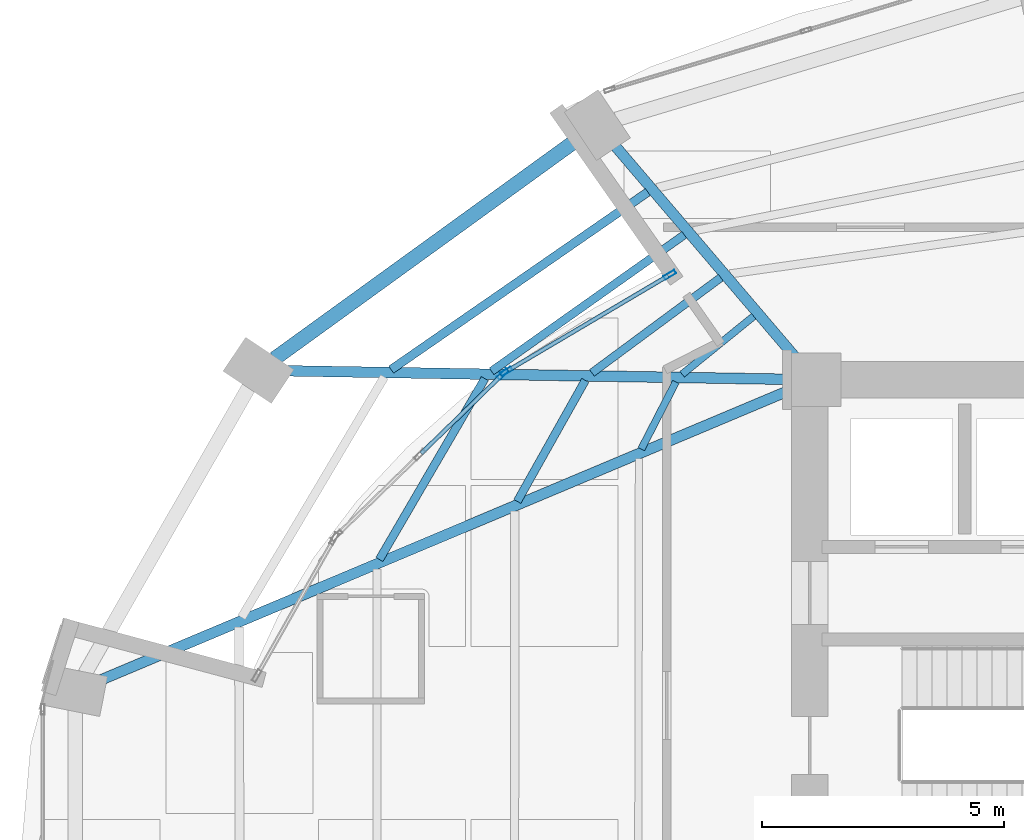
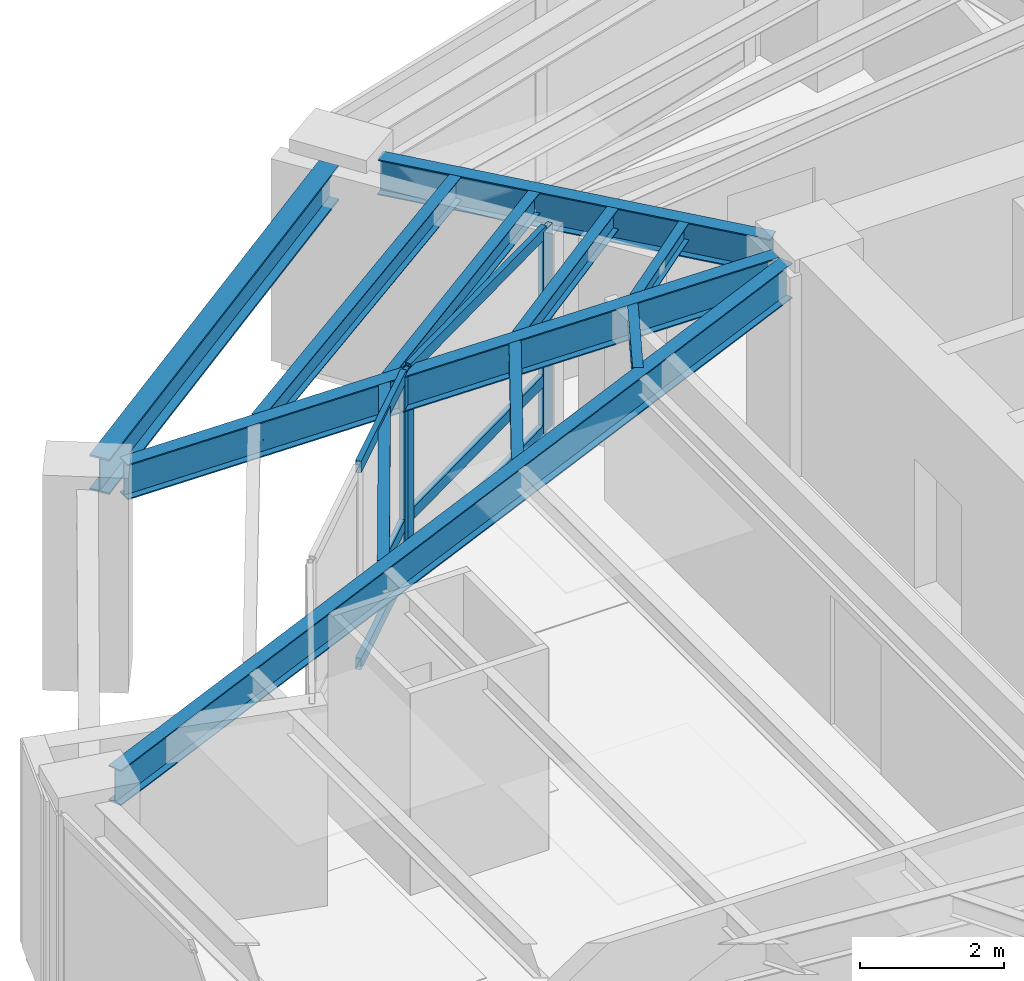
# One storey, part 9 of 24: 11 beams, 9 members, 2 elements without a shape of their own.
"""IFC4 building model written with IfcOpenShell, lengths in metres."""

import ifcopenshell
import ifcopenshell.guid

model = None  # the IFC model being written
_history = None  # IfcOwnerHistory: only IFC2X3 demands one
_inside = {}  # id of a spatial element -> (the spatial element, [elements in it])
_under = {}  # id of a project, library or spatial element -> (it, [spatial elements below it])
_declared = {}  # id of a project -> (the project, [libraries it declares])
_typed = {}  # id of a type object -> (the type object, [elements of that type])
_made_of = {}  # id of a material, layer set ... -> (it, [elements and type objects made of it])


def new_model(schema):
    """Start an empty IFC model of exactly this schema.

    Asked for "IFC4X3", IfcOpenShell would pick the latest addendum, in which some entities
    have other attributes; the version numbers below select the first issue.
    IFC2X3 requires an IfcOwnerHistory on every rooted entity: one is made here for all.
    """
    global model, _history
    if schema == "IFC4X3":
        model = ifcopenshell.file(schema_version=(4, 3, 0, 0))
    else:
        model = ifcopenshell.file(schema=schema)
    _inside.clear()
    _under.clear()
    _declared.clear()
    _typed.clear()
    _made_of.clear()
    _history = None
    if model.schema == "IFC2X3":
        org = make("IfcOrganization", Name="unknown")
        user = make(
            "IfcPersonAndOrganization",
            ThePerson=make("IfcPerson", FamilyName="unknown"),
            TheOrganization=org,
        )
        app = make(
            "IfcApplication",
            ApplicationDeveloper=org,
            Version="unknown",
            ApplicationFullName="unknown",
            ApplicationIdentifier="unknown",
        )
        _history = make(
            "IfcOwnerHistory",
            OwningUser=user,
            OwningApplication=app,
            ChangeAction="ADDED",
            CreationDate=0,
        )
    return model


def make(cls, **values):
    """One entity of the class cls with the attributes given. An attribute that is None is left unset."""
    return model.create_entity(
        cls, **{name: value for name, value in values.items() if value is not None}
    )


def rooted(cls, **values):
    """An entity with a GlobalId (a new one), such as an element, a storey or a relation."""
    return make(cls, GlobalId=ifcopenshell.guid.new(), OwnerHistory=_history, **values)


def si_unit(unit_type, name, prefix=None):
    """IfcSIUnit, for example si_unit("LENGTHUNIT", "METRE", prefix="MILLI")."""
    return make("IfcSIUnit", UnitType=unit_type, Prefix=prefix, Name=name)


def assignment(units):
    """IfcUnitAssignment: the units of a project."""
    return None if units is None else make("IfcUnitAssignment", Units=units)


def point(xyz):
    """IfcCartesianPoint."""
    return None if xyz is None else make("IfcCartesianPoint", Coordinates=xyz)


def direction(xyz):
    """IfcDirection."""
    return None if xyz is None else make("IfcDirection", DirectionRatios=xyz)


def frame(location, z_axis=None, x_axis=None):
    """IfcAxis2Placement3D, a coordinate frame: its origin and axes. An axis left out is left unset."""
    return make(
        "IfcAxis2Placement3D",
        Location=point(location),
        Axis=direction(z_axis),
        RefDirection=direction(x_axis),
    )


def frame_2d(location, x_axis=None):
    """IfcAxis2Placement2D, a coordinate frame in the plane: its origin and x axis."""
    return make(
        "IfcAxis2Placement2D", Location=point(location), RefDirection=direction(x_axis)
    )


def origin():
    """The frame at (0, 0, 0) with its axes left unset."""
    return frame((0.0, 0.0, 0.0))


def origin_2d():
    """The frame at (0, 0) in the plane with its x axis left unset."""
    return frame_2d((0.0, 0.0))


def place(relative_to, where):
    """IfcLocalPlacement: puts the frame where relative to a parent placement (None: the world)."""
    return make(
        "IfcLocalPlacement", PlacementRelTo=relative_to, RelativePlacement=where
    )


def context(
    kind, dimensions, precision=None, world=None, true_north=None, identifier=None
):
    """IfcGeometricRepresentationContext, for example the 3D "Model" context."""
    return make(
        "IfcGeometricRepresentationContext",
        ContextIdentifier=identifier,
        ContextType=kind,
        CoordinateSpaceDimension=dimensions,
        Precision=precision,
        WorldCoordinateSystem=world,
        TrueNorth=true_north,
    )


def subcontext(parent, identifier, kind, view, scale=None):
    """IfcGeometricRepresentationSubContext, for example "Body" below "Model"."""
    return make(
        "IfcGeometricRepresentationSubContext",
        ContextIdentifier=identifier,
        ContextType=kind,
        ParentContext=parent,
        TargetScale=scale,
        TargetView=view,
    )


def project(units=None, contexts=None):
    """IfcProject with its units and contexts."""
    return rooted(
        "IfcProject",
        Name="project",
        RepresentationContexts=contexts,
        UnitsInContext=assignment(units),
    )


def spatial(cls, under=None, at=None, **own):
    """A site, building, storey or space (cls), placed at a placement, below another one or the project."""
    s = rooted(cls, ObjectPlacement=at, **own)
    if under is not None:
        _under.setdefault(under.id(), (under, []))[1].append(s)
    return s


def profile(cls, at=None, kind="AREA", **sizes):
    """A parametric profile (cls). Its sizes go by their IFC names, for example OverallWidth=200.0."""
    return make(cls, ProfileType=kind, Position=at, **sizes)


def hollow_rectangle(**sizes):
    """IfcRectangleHollowProfileDef."""
    return profile("IfcRectangleHollowProfileDef", **sizes)


def i_section(**sizes):
    """IfcIShapeProfileDef."""
    return profile("IfcIShapeProfileDef", **sizes)


def extrude(swept, where, along, depth):
    """IfcExtrudedAreaSolid: the profile swept, set in the frame where, extruded along a direction by depth."""
    return make(
        "IfcExtrudedAreaSolid",
        SweptArea=swept,
        Position=where,
        ExtrudedDirection=direction(along),
        Depth=depth,
    )


def shape(context_of_items, identifier, shape_type, items):
    """IfcShapeRepresentation: the items that make up one representation, for example the "Body"."""
    return make(
        "IfcShapeRepresentation",
        ContextOfItems=context_of_items,
        RepresentationIdentifier=identifier,
        RepresentationType=shape_type,
        Items=items,
    )


def material(Name=None, Category=None):
    """IfcMaterial."""
    return make("IfcMaterial", Name=Name, Category=Category)


def layer(
    of_material, thickness, ventilated=None, Name=None, Category=None, Priority=None
):
    """IfcMaterialLayer: one layer of a wall or slab, of a material (None: an air gap)."""
    return make(
        "IfcMaterialLayer",
        Material=of_material,
        LayerThickness=thickness,
        IsVentilated=ventilated,
        Name=Name,
        Category=Category,
        Priority=Priority,
    )


def layer_set(layers, Name=None):
    """IfcMaterialLayerSet."""
    return make("IfcMaterialLayerSet", MaterialLayers=layers, LayerSetName=Name)


def material_profile(
    of_material, cross_section, Name=None, Category=None, Priority=None
):
    """IfcMaterialProfile: a cross section and its material."""
    return make(
        "IfcMaterialProfile",
        Name=Name,
        Material=of_material,
        Profile=cross_section,
        Priority=Priority,
        Category=Category,
    )


def profile_set(profiles, Name=None, composite=None):
    """IfcMaterialProfileSet."""
    return make(
        "IfcMaterialProfileSet",
        Name=Name,
        MaterialProfiles=profiles,
        CompositeProfile=composite,
    )


def made_of(thing, what):
    """Note that an element or type object is made of a material, layer set ...; save() writes the relation."""
    if what is not None:
        _made_of.setdefault(what.id(), (what, []))[1].append(thing)
    return thing


def type_object(cls, material=None, **own):
    """A type object (cls), such as IfcWallType, which elements share."""
    return made_of(rooted(cls, **own), material)


def element(
    cls,
    number,
    at=None,
    inside=None,
    cuts=None,
    type_object=None,
    material=None,
    context=None,
    identifier="Body",
    shape_type=None,
    held_by="IfcProductDefinitionShape",
    body=None,
    shapes=None,
    **own,
):
    """One element of the class cls, such as IfcWall. Its Tag is "e" and its number.

    at: its placement. inside: the storey or other place that contains it. cuts: it is an
    opening in that element (IfcRelVoidsElement). A single representation is given by context,
    identifier, shape_type and body (its items); several are given by shapes. held_by: the class
    of the entity that holds the representations. save() writes the other relations.
    """
    e = rooted(cls, Tag="e%d" % number, ObjectPlacement=at, **own)
    if body is not None:
        shapes = [shape(context, identifier, shape_type, body)]
    if shapes is not None:
        e.Representation = make(held_by, Representations=shapes)
    if inside is not None:
        _inside.setdefault(inside.id(), (inside, []))[1].append(e)
    if cuts is not None:
        rooted(
            "IfcRelVoidsElement", RelatingBuildingElement=cuts, RelatedOpeningElement=e
        )
    if type_object is not None:
        _typed.setdefault(type_object.id(), (type_object, []))[1].append(e)
    return made_of(e, material)


def aggregate(whole, parts):
    """IfcRelAggregates: a whole, such as a stair, and the parts it consists of."""
    return rooted("IfcRelAggregates", RelatingObject=whole, RelatedObjects=parts)


def save(model, path):
    """Write the relations noted so far, then the file.

    IfcRelAggregates (storeys below a building ...), IfcRelContainedInSpatialStructure (elements
    in a storey), IfcRelDefinesByType, IfcRelAssociatesMaterial and IfcRelDeclares: one each for
    every whole, place, type object, material and project.
    """
    for whole, parts in _under.values():
        aggregate(whole, parts)
    for where, things in _inside.values():
        rooted(
            "IfcRelContainedInSpatialStructure",
            RelatedElements=things,
            RelatingStructure=where,
        )
    for kind, things in _typed.values():
        rooted("IfcRelDefinesByType", RelatedObjects=things, RelatingType=kind)
    for what, things in _made_of.values():
        rooted("IfcRelAssociatesMaterial", RelatedObjects=things, RelatingMaterial=what)
    for by, libraries in _declared.values():
        rooted("IfcRelDeclares", RelatingContext=by, RelatedDefinitions=libraries)
    model.write(path)


model = new_model("IFC4")

# Units and contexts
model_context = context("Model", 3, precision=1e-05, world=origin(), true_north=direction((0.0, 1.0)))
body_context = subcontext(model_context, "Body", "Model", "MODEL_VIEW")
ifc_project = project(units=[si_unit("LENGTHUNIT", "METRE"), si_unit("AREAUNIT", "SQUARE_METRE"), si_unit("VOLUMEUNIT", "CUBIC_METRE"), si_unit("PLANEANGLEUNIT", "RADIAN"), si_unit("MASSUNIT", "GRAM", prefix="KILO")], contexts=[model_context])

# Site, building, storey
site_placement = place(None, origin())
site = spatial("IfcSite", under=ifc_project, at=site_placement, CompositionType="ELEMENT")
building_placement = place(site_placement, origin())
building = spatial("IfcBuilding", under=site, at=building_placement, Name="Lazwardi Medical Tower", CompositionType="ELEMENT")
storey_placement = place(building_placement, frame((0.0, 0.0, 118.22412109375)))
storey = spatial("IfcBuildingStorey", under=building, at=storey_placement, Name="L30", CompositionType="ELEMENT", Elevation=118.22412109375)

# Beams
ifc_material_1 = material(Name="Steel S355", Category="steel")
ifc_material_profile_1 = material_profile(ifc_material_1, i_section(OverallWidth=0.300048828125, OverallDepth=0.60009765625, WebThickness=0.015380859375, FlangeThickness=0.030029296875, at=origin_2d()), Name="HEB 600")
ifc_profile_set_1 = profile_set([ifc_material_profile_1], Name="Steel S355")
beam_type_1 = type_object("IfcBeamType", Name="BM-RB-Z2", PredefinedType="BEAM", material=ifc_profile_set_1)
beam_1_placement = place(storey_placement, frame((21.584228515625, 40.6171875, 3.1279296875), z_axis=(-0.810041907649, -0.586371987609, 0.0), x_axis=(0.586371987609, -0.810041907649, 0.0)))
element("IfcBeam", 1, at=beam_1_placement, inside=storey, type_object=beam_type_1, Name="Ring beam RB-03 B10 L30", PredefinedType="BEAM", context=body_context, shape_type="SweptSolid", body=[
    extrude(i_section(OverallWidth=0.300048828125, OverallDepth=0.60009765625, WebThickness=0.015380859375, FlangeThickness=0.030029296875, at=origin_2d()), origin(), (0.0, 0.0, 1.0), 7.814208984375),
])
ifc_material_profile_2 = material_profile(ifc_material_1, i_section(OverallWidth=0.219970703125, OverallDepth=0.60009765625, WebThickness=0.011962890625, FlangeThickness=0.01904296875, at=origin_2d()), Name="IPE 600")
ifc_profile_set_2 = profile_set([ifc_material_profile_2], Name="Steel S355")
beam_type_2 = type_object("IfcBeamType", Name="BM-RG-W1", PredefinedType="BEAM", material=ifc_profile_set_2)
beam_2_placement = place(storey_placement, frame((22.292724609375, 40.416259765625, 3.1279296875), z_axis=(0.648870567436, -0.760898801889, 0.0), x_axis=(0.760898801889, 0.648870567436, 0.0)))
element("IfcBeam", 2, at=beam_2_placement, inside=storey, type_object=beam_type_2, Name="Radial girder RG-02 R10 L30", PredefinedType="BEAM", context=body_context, shape_type="SweptSolid", body=[
    extrude(i_section(OverallWidth=0.219970703125, OverallDepth=0.60009765625, WebThickness=0.011962890625, FlangeThickness=0.01904296875, at=origin_2d()), origin(), (0.0, 0.0, 1.0), 5.794677734375),
])
beam_3_placement = place(storey_placement, frame((15.502197265625, 35.784912109375, 3.1279296875), z_axis=(0.99985616395, -0.016960289263, 0.0), x_axis=(0.016960289263, 0.99985616395, 0.0)))
element("IfcBeam", 3, at=beam_3_placement, inside=storey, type_object=beam_type_2, Name="Radial girder RG-02 R11 L30", PredefinedType="BEAM", context=body_context, shape_type="SweptSolid", body=[
    extrude(i_section(OverallWidth=0.219970703125, OverallDepth=0.60009765625, WebThickness=0.011962890625, FlangeThickness=0.01904296875, at=origin_2d()), origin(), (0.0, 0.0, 1.0), 10.3642578125),
])
beam_4_placement = place(storey_placement, frame((11.671630859375, 29.40478515625, 3.1279296875), z_axis=(0.921775176005, 0.38772480563, 0.0), x_axis=(-0.38772480563, 0.921775176005, 0.0)))
element("IfcBeam", 4, at=beam_4_placement, inside=storey, type_object=beam_type_2, Name="Radial girder RG-02 R12 L30", PredefinedType="BEAM", context=body_context, shape_type="SweptSolid", body=[
    extrude(i_section(OverallWidth=0.219970703125, OverallDepth=0.60009765625, WebThickness=0.011962890625, FlangeThickness=0.01904296875, at=origin_2d()), origin(), (0.0, 0.0, 1.0), 15.443359375),
])
ifc_material_profile_3 = material_profile(ifc_material_1, i_section(OverallWidth=0.179931640625, OverallDepth=0.39990234375, WebThickness=0.008544921875, FlangeThickness=0.013427734375, at=origin_2d()), Name="IPE 400")
ifc_profile_set_3 = profile_set([ifc_material_profile_3], Name="Steel S355")
beam_type_3 = type_object("IfcBeamType", Name="BM-SJ-01", PredefinedType="JOIST", material=ifc_profile_set_3)
beam_5_placement = place(storey_placement, frame((22.95849609375, 39.474609375, 3.227783203125), z_axis=(-0.822376339068, -0.568943896128, 0.0), x_axis=(0.568943896128, -0.822376339068, 0.0)))
element("IfcBeam", 5, at=beam_5_placement, inside=storey, type_object=beam_type_3, Name="Secondary joist SJ-01 R1 B10 L30", PredefinedType="JOIST", context=body_context, shape_type="SweptSolid", body=[
    extrude(i_section(OverallWidth=0.179931640625, OverallDepth=0.39990234375, WebThickness=0.008544921875, FlangeThickness=0.013427734375, at=origin_2d()), origin(), (0.0, 0.0, 1.0), 6.44189453125),
])
ifc_material_profile_4 = material_profile(ifc_material_1, i_section(OverallWidth=0.169921875, OverallDepth=0.360107421875, WebThickness=0.008056640625, FlangeThickness=0.0126953125, at=origin_2d()), Name="IPE 360")
ifc_profile_set_4 = profile_set([ifc_material_profile_4], Name="Steel S355")
beam_type_4 = type_object("IfcBeamType", Name="BM-SJ-02", PredefinedType="JOIST", material=ifc_profile_set_4)
beam_6_placement = place(storey_placement, frame((23.7109375, 38.591796875, 3.247802734375), z_axis=(-0.816156371539, -0.577831097464, 0.0), x_axis=(0.577831097464, -0.816156371539, 0.0)))
element("IfcBeam", 6, at=beam_6_placement, inside=storey, type_object=beam_type_4, Name="Secondary joist SJ-02 R2 B10 L30", PredefinedType="JOIST", context=body_context, shape_type="SweptSolid", body=[
    extrude(i_section(OverallWidth=0.169921875, OverallDepth=0.360107421875, WebThickness=0.008056640625, FlangeThickness=0.0126953125, at=origin_2d()), origin(), (0.0, 0.0, 1.0), 4.8740234375),
])
beam_7_placement = place(storey_placement, frame((19.594482421875, 35.623779296875, 3.247802734375), z_axis=(-0.503544274258, -0.86396942299, 0.0), x_axis=(0.86396942299, -0.503544274258, 0.0)))
element("IfcBeam", 7, at=beam_7_placement, inside=storey, type_object=beam_type_4, Name="Secondary joist SJ-02 R2 B11 L30", PredefinedType="JOIST", context=body_context, shape_type="SweptSolid", body=[
    extrude(i_section(OverallWidth=0.169921875, OverallDepth=0.360107421875, WebThickness=0.008056640625, FlangeThickness=0.0126953125, at=origin_2d()), origin(), (0.0, 0.0, 1.0), 4.321044921875),
])
beam_8_placement = place(storey_placement, frame((24.46435546875, 37.708251953125, 3.247802734375), z_axis=(-0.804125525058, -0.594459536008, 0.0), x_axis=(0.594459536008, -0.804125525058, 0.0)))
element("IfcBeam", 8, at=beam_8_placement, inside=storey, type_object=beam_type_4, Name="Secondary joist SJ-02 R3 B10 L30", PredefinedType="JOIST", context=body_context, shape_type="SweptSolid", body=[
    extrude(i_section(OverallWidth=0.169921875, OverallDepth=0.360107421875, WebThickness=0.008056640625, FlangeThickness=0.0126953125, at=origin_2d()), origin(), (0.0, 0.0, 1.0), 3.30810546875),
])
beam_9_placement = place(storey_placement, frame((21.66845703125, 35.587890625, 3.247802734375), z_axis=(-0.489860824278, -0.871800649711, 0.0), x_axis=(0.871800649711, -0.489860824278, 0.0)))
element("IfcBeam", 9, at=beam_9_placement, inside=storey, type_object=beam_type_4, Name="Secondary joist SJ-02 R3 B11 L30", PredefinedType="JOIST", context=body_context, shape_type="SweptSolid", body=[
    extrude(i_section(OverallWidth=0.169921875, OverallDepth=0.360107421875, WebThickness=0.008056640625, FlangeThickness=0.0126953125, at=origin_2d()), origin(), (0.0, 0.0, 1.0), 2.8662109375),
])
ifc_material_profile_5 = material_profile(ifc_material_1, i_section(OverallWidth=0.14990234375, OverallDepth=0.300048828125, WebThickness=0.007080078125, FlangeThickness=0.0107421875, at=origin_2d()), Name="IPE 300")
ifc_profile_set_5 = profile_set([ifc_material_profile_5], Name="Steel S355")
beam_type_5 = type_object("IfcBeamType", Name="BM-SJ-03", PredefinedType="JOIST", material=ifc_profile_set_5)
beam_10_placement = place(storey_placement, frame((25.14404296875, 36.910888671875, 3.27783203125), z_axis=(-0.77695773322, -0.629552762515, 0.0), x_axis=(0.629552762515, -0.77695773322, 0.0)))
element("IfcBeam", 10, at=beam_10_placement, inside=storey, type_object=beam_type_5, Name="Secondary joist SJ-03 R4 B10 L30", PredefinedType="JOIST", context=body_context, shape_type="SweptSolid", body=[
    extrude(i_section(OverallWidth=0.14990234375, OverallDepth=0.300048828125, WebThickness=0.007080078125, FlangeThickness=0.0107421875, at=origin_2d()), origin(), (0.0, 0.0, 1.0), 1.9013671875),
])
beam_11_placement = place(storey_placement, frame((23.537109375, 35.554443359375, 3.27783203125), z_axis=(-0.457956589674, -0.888974556427, 0.0), x_axis=(0.888974556427, -0.457956589674, 0.0)))
element("IfcBeam", 11, at=beam_11_placement, inside=storey, type_object=beam_type_5, Name="Secondary joist SJ-03 R4 B11 L30", PredefinedType="JOIST", context=body_context, shape_type="SweptSolid", body=[
    extrude(i_section(OverallWidth=0.14990234375, OverallDepth=0.300048828125, WebThickness=0.007080078125, FlangeThickness=0.0107421875, at=origin_2d()), origin(), (0.0, 0.0, 1.0), 1.558837890625),
])

# Curtain wall, members
ifc_material_2 = material(Name="Anodised bronze aluminium and solar control glazing", Category="aluminium")
ifc_layer = layer(ifc_material_2, 0.239990234375)
ifc_layer_set = layer_set([ifc_layer], Name="Anodised bronze aluminium and solar control glazing")
curtain_wall_type = type_object("IfcCurtainWallType", Name="CW-SYS-05", PredefinedType="NOTDEFINED", material=ifc_layer_set)
curtain_wall_1_placement = place(storey_placement, origin())
curtain_wall_1 = element("IfcCurtainWall", 12, at=curtain_wall_1_placement, inside=storey, type_object=curtain_wall_type, Name="L30 Unitised bronze curtain wall CW-05", PredefinedType="NOTDEFINED")
ifc_material_3 = material(Name="Anodised bronze aluminium", Category="aluminium")
ifc_material_profile_6 = material_profile(ifc_material_3, hollow_rectangle(XDim=0.0849609375, YDim=0.260009765625, WallThickness=0.0048828125, at=origin_2d()), Name="ALU-MULLION 260x85x5")
ifc_profile_set_6 = profile_set([ifc_material_profile_6], Name="Anodised bronze aluminium")
member_type_1 = type_object("IfcMemberType", Name="CW-MUL-02", PredefinedType="MULLION", material=ifc_profile_set_6)
member_1_placement = place(storey_placement, frame((23.41357421875, 37.767333984375, 0.0), z_axis=(0.0, 0.0, 1.0), x_axis=(0.508918324488, -0.860814811095, 0.0)))
member_1 = element("IfcMember", 13, at=member_1_placement, type_object=member_type_1, Name="CW-05 mullion 1", PredefinedType="MULLION", context=body_context, shape_type="SweptSolid", body=[
    extrude(hollow_rectangle(XDim=0.0849609375, YDim=0.260009765625, WallThickness=0.0048828125, at=origin_2d()), origin(), (0.0, 0.0, 1.0), 3.427978515625),
])
member_2_placement = place(storey_placement, frame((20.03466796875, 35.769775390625, 0.0), z_axis=(0.0, 0.0, 1.0), x_axis=(0.508918324488, -0.860814811095, 0.0)))
member_2 = element("IfcMember", 14, at=member_2_placement, type_object=member_type_1, Name="CW-05 mullion 2", PredefinedType="MULLION", context=body_context, shape_type="SweptSolid", body=[
    extrude(hollow_rectangle(XDim=0.0849609375, YDim=0.260009765625, WallThickness=0.0048828125, at=origin_2d()), origin(), (0.0, 0.0, 1.0), 3.427978515625),
])

# Curtain wall, member
curtain_wall_2_placement = place(storey_placement, origin())
curtain_wall_2 = element("IfcCurtainWall", 15, at=curtain_wall_2_placement, inside=storey, type_object=curtain_wall_type, Name="L30 Unitised bronze curtain wall CW-05", PredefinedType="NOTDEFINED")
member_3_placement = place(storey_placement, frame((19.967529296875, 35.718505859375, 0.0), z_axis=(0.0, 0.0, 1.0), x_axis=(0.696712326756, -0.717350635147, 0.0)))
member_3 = element("IfcMember", 16, at=member_3_placement, type_object=member_type_1, Name="CW-05 mullion 1", PredefinedType="MULLION", context=body_context, shape_type="SweptSolid", body=[
    extrude(hollow_rectangle(XDim=0.0849609375, YDim=0.260009765625, WallThickness=0.0048828125, at=origin_2d()), origin(), (0.0, 0.0, 1.0), 3.427978515625),
])

# Member
ifc_material_profile_7 = material_profile(ifc_material_3, hollow_rectangle(XDim=0.0849609375, YDim=0.199951171875, WallThickness=0.00439453125, at=origin_2d()), Name="ALU-TRANSOM 200x85x4.5")
ifc_profile_set_7 = profile_set([ifc_material_profile_7], Name="Anodised bronze aluminium")
member_type_2 = type_object("IfcMemberType", Name="CW-TRN-02", PredefinedType="USERDEFINED", material=ifc_profile_set_7)
member_4_placement = place(storey_placement, frame((23.376953125, 37.745849609375, 0.04248046875), z_axis=(-0.86078474446, -0.508969177559, 0.0), x_axis=(0.508969177559, -0.86078474446, 0.0)))
member_4 = element("IfcMember", 17, at=member_4_placement, type_object=member_type_2, Name="CW-05 transom 1.1", ObjectType="TRANSOM", PredefinedType="USERDEFINED", context=body_context, shape_type="SweptSolid", body=[
    extrude(hollow_rectangle(XDim=0.0849609375, YDim=0.199951171875, WallThickness=0.00439453125, at=origin_2d()), origin(), (0.0, 0.0, 1.0), 3.84033203125),
])

member_5_placement = place(storey_placement, frame((23.376953125, 37.745849609375, 0.89990234375), z_axis=(-0.86078474446, -0.508969177559, 0.0), x_axis=(0.508969177559, -0.86078474446, 0.0)))
member_5 = element("IfcMember", 18, at=member_5_placement, type_object=member_type_2, Name="CW-05 transom 1.2", ObjectType="TRANSOM", PredefinedType="USERDEFINED", context=body_context, shape_type="SweptSolid", body=[
    extrude(hollow_rectangle(XDim=0.0849609375, YDim=0.199951171875, WallThickness=0.00439453125, at=origin_2d()), origin(), (0.0, 0.0, 1.0), 3.84033203125),
])

member_6_placement = place(storey_placement, frame((23.376953125, 37.745849609375, 3.385498046875), z_axis=(-0.86078474446, -0.508969177559, 0.0), x_axis=(0.508969177559, -0.86078474446, 0.0)))
member_6 = element("IfcMember", 19, at=member_6_placement, type_object=member_type_2, Name="CW-05 transom 1.3", ObjectType="TRANSOM", PredefinedType="USERDEFINED", context=body_context, shape_type="SweptSolid", body=[
    extrude(hollow_rectangle(XDim=0.0849609375, YDim=0.199951171875, WallThickness=0.00439453125, at=origin_2d()), origin(), (0.0, 0.0, 1.0), 3.84033203125),
])

aggregate(curtain_wall_1, [member_1, member_2, member_4, member_5, member_6])

member_7_placement = place(storey_placement, frame((19.93701171875, 35.68896484375, 0.04248046875), z_axis=(-0.71729600119, -0.696768574691, 0.0), x_axis=(0.696768574691, -0.71729600119, 0.0)))
member_7 = element("IfcMember", 20, at=member_7_placement, type_object=member_type_2, Name="CW-05 transom 1.1", ObjectType="TRANSOM", PredefinedType="USERDEFINED", context=body_context, shape_type="SweptSolid", body=[
    extrude(hollow_rectangle(XDim=0.0849609375, YDim=0.199951171875, WallThickness=0.00439453125, at=origin_2d()), origin(), (0.0, 0.0, 1.0), 2.307373046875),
])

member_8_placement = place(storey_placement, frame((19.93701171875, 35.68896484375, 0.89990234375), z_axis=(-0.71729600119, -0.696768574691, 0.0), x_axis=(0.696768574691, -0.71729600119, 0.0)))
member_8 = element("IfcMember", 21, at=member_8_placement, type_object=member_type_2, Name="CW-05 transom 1.2", ObjectType="TRANSOM", PredefinedType="USERDEFINED", context=body_context, shape_type="SweptSolid", body=[
    extrude(hollow_rectangle(XDim=0.0849609375, YDim=0.199951171875, WallThickness=0.00439453125, at=origin_2d()), origin(), (0.0, 0.0, 1.0), 2.307373046875),
])

member_9_placement = place(storey_placement, frame((19.93701171875, 35.68896484375, 3.385498046875), z_axis=(-0.71729600119, -0.696768574691, 0.0), x_axis=(0.696768574691, -0.71729600119, 0.0)))
member_9 = element("IfcMember", 22, at=member_9_placement, type_object=member_type_2, Name="CW-05 transom 1.3", ObjectType="TRANSOM", PredefinedType="USERDEFINED", context=body_context, shape_type="SweptSolid", body=[
    extrude(hollow_rectangle(XDim=0.0849609375, YDim=0.199951171875, WallThickness=0.00439453125, at=origin_2d()), origin(), (0.0, 0.0, 1.0), 2.307373046875),
])

aggregate(curtain_wall_2, [member_3, member_7, member_8, member_9])

save(model, "model.ifc")
